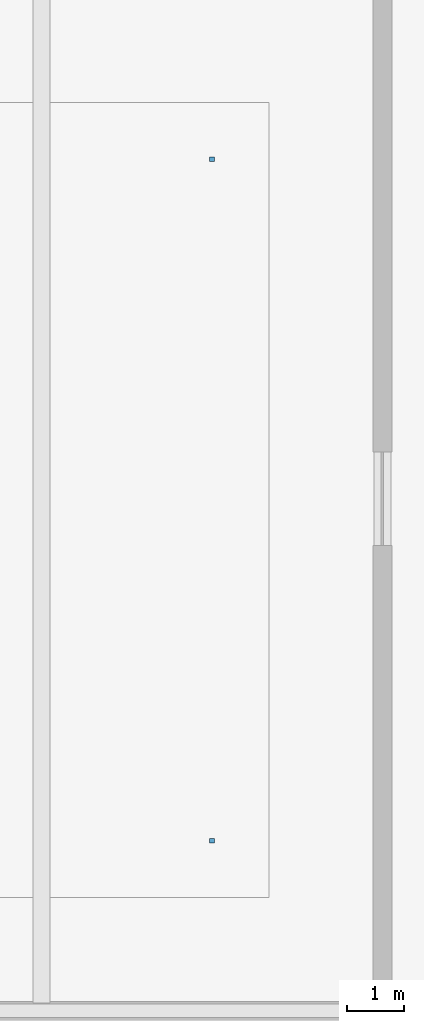
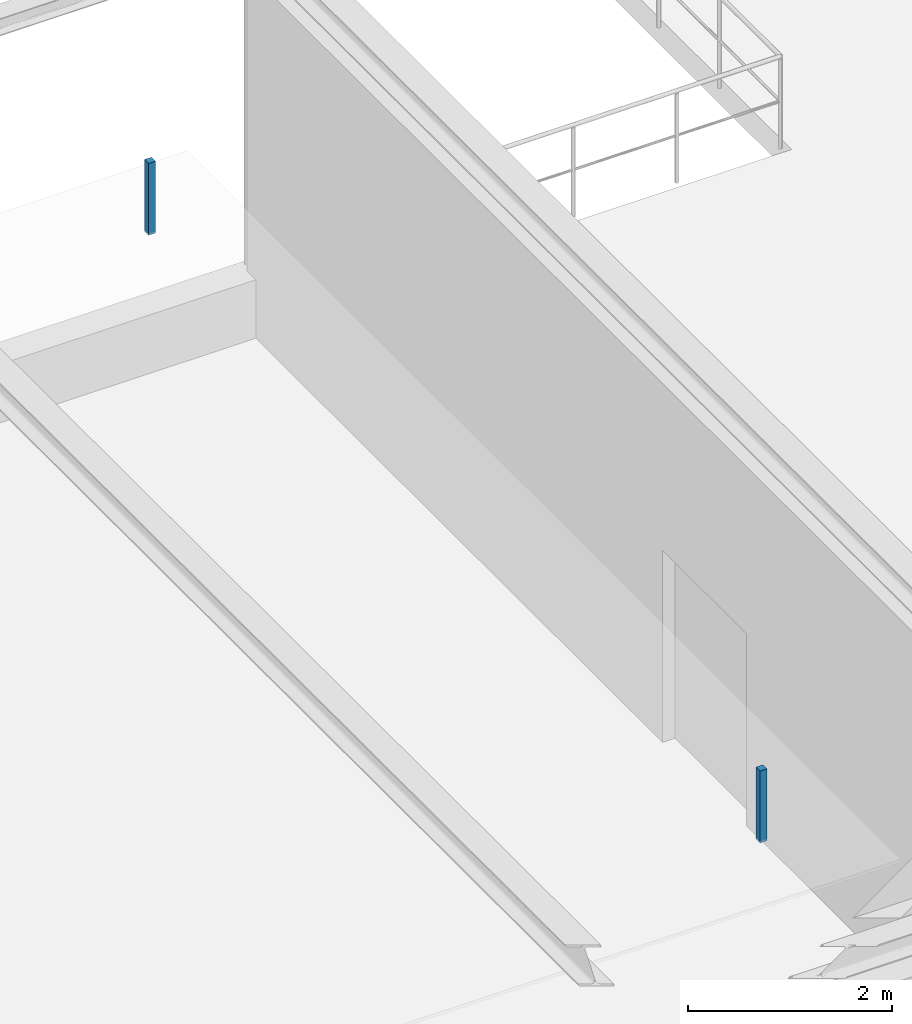
# One storey, part 91 of 97: 2 discrete accessories.
"""IFC4 building model written with IfcOpenShell, lengths in metres."""

from ifc_helpers import new_model, si_unit, derived_unit, direction, frame, origin, origin_2d, place, context, subcontext, project, spatial, rectangle, extrude, material, type_object, element, save


model = new_model("IFC4")

# Units and contexts
model_context = context("Model", 3, precision=1e-05, world=origin(), true_north=direction((0.0, 1.0)))
body_context = subcontext(model_context, "Body", "Model", "MODEL_VIEW")
ifc_project = project(units=[si_unit("LENGTHUNIT", "METRE"), si_unit("AREAUNIT", "SQUARE_METRE"), si_unit("VOLUMEUNIT", "CUBIC_METRE"), si_unit("PLANEANGLEUNIT", "RADIAN"), si_unit("MASSUNIT", "GRAM", prefix="KILO"), derived_unit("THERMALTRANSMITTANCEUNIT", [(si_unit("POWERUNIT", "WATT"), 1), (si_unit("LENGTHUNIT", "METRE"), -2), (si_unit("THERMODYNAMICTEMPERATUREUNIT", "KELVIN"), -1)])], contexts=[model_context])

# Site, building, storey
site_placement = place(None, origin())
site = spatial("IfcSite", under=ifc_project, at=site_placement, CompositionType="ELEMENT")
building_placement = place(site_placement, origin())
building = spatial("IfcBuilding", under=site, at=building_placement, Name="Almenara Railside Exhibition Hall", CompositionType="ELEMENT")
storey_placement = place(building_placement, frame((0.0, 0.0, 10.800048828125)))
storey = spatial("IfcBuildingStorey", under=building, at=storey_placement, Name="L02", CompositionType="ELEMENT", Elevation=10.800048828125)

# Discrete accessories
ifc_material = material(Name="Galvanised steel suspension bracket", Category="steel")
discrete_accessory_type = type_object("IfcDiscreteAccessoryType", Name="Ceiling Suspension Bracket Hanger", PredefinedType="BRACKET", material=ifc_material)
for number, where, z_axis, x_axis, name in (
    (1, (111.0, 39.0, 3.97998046875), (0.0, 0.0, 1.0), (1.0, 0.0, 0.0), "Ceiling suspension hanger 0027"),
    (2, (111.0, 51.0, 3.97998046875), (0.0, 0.0, 1.0), (1.0, 0.0, 0.0), "Ceiling suspension hanger 0028"),
):
    element("IfcDiscreteAccessory", number, at=place(storey_placement, frame(where, z_axis=z_axis, x_axis=x_axis)), inside=storey, type_object=discrete_accessory_type, Name=name, PredefinedType="BRACKET", context=body_context, shape_type="SweptSolid", body=[
        extrude(rectangle(XDim=0.080078125, YDim=0.080078125, at=origin_2d()), origin(), (0.0, 0.0, 1.0), 0.860107421875),
    ])

save(model, "model.ifc")
